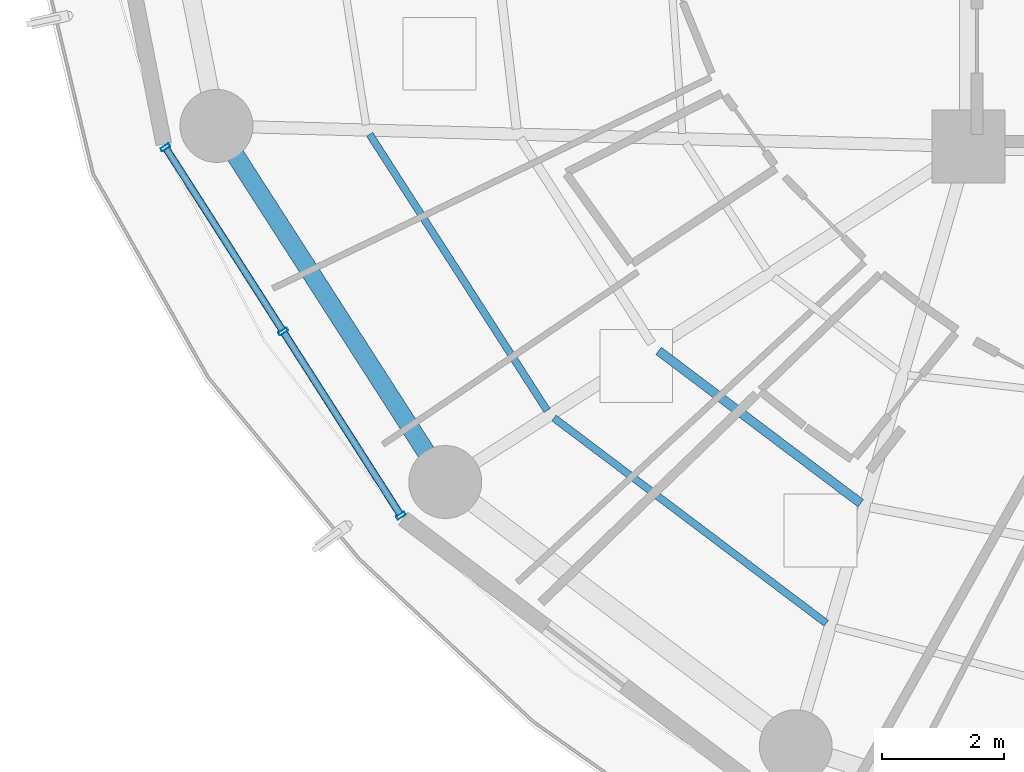
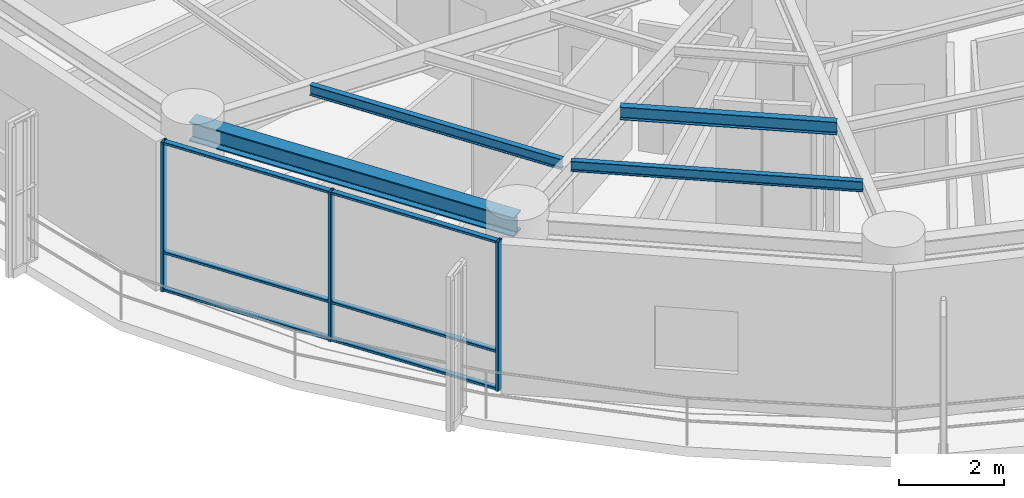
# One storey, part 2 of 28: 9 members, 4 beams, 1 element without a shape of its own.
"""IFC4 building model written with IfcOpenShell, lengths in metres."""

from ifc_helpers import new_model, si_unit, direction, frame, origin, origin_2d, place, context, subcontext, project, spatial, hollow_rectangle, i_section, extrude, material, layer, layer_set, material_profile, profile_set, type_object, element, aggregate, save


model = new_model("IFC4")

# Units and contexts
model_context = context("Model", 3, precision=1e-05, world=origin(), true_north=direction((0.0, 1.0)))
body_context = subcontext(model_context, "Body", "Model", "MODEL_VIEW")
ifc_project = project(units=[si_unit("LENGTHUNIT", "METRE"), si_unit("AREAUNIT", "SQUARE_METRE"), si_unit("VOLUMEUNIT", "CUBIC_METRE"), si_unit("PLANEANGLEUNIT", "RADIAN"), si_unit("MASSUNIT", "GRAM", prefix="KILO")], contexts=[model_context])

# Site, building, storey
site_placement = place(None, origin())
site = spatial("IfcSite", under=ifc_project, at=site_placement, CompositionType="ELEMENT")
building_placement = place(site_placement, origin())
building = spatial("IfcBuilding", under=site, at=building_placement, Name="Kelanora Arch Commons", CompositionType="ELEMENT")
storey_placement = place(building_placement, frame((0.0, 0.0, 158.10009765625)))
storey = spatial("IfcBuildingStorey", under=building, at=storey_placement, Name="L40", CompositionType="ELEMENT", Elevation=158.10009765625)

# Beams
ifc_material_1 = material(Name="Steel S355", Category="steel")
ifc_material_profile_1 = material_profile(ifc_material_1, i_section(OverallWidth=0.14990234375, OverallDepth=0.300048828125, WebThickness=0.007080078125, FlangeThickness=0.0107421875, FilletRadius=0.014892578125, at=origin_2d()), Name="IPE300")
ifc_profile_set_1 = profile_set([ifc_material_profile_1], Name="Steel S355")
beam_type_1 = type_object("IfcBeamType", Name="BM-JST-01", PredefinedType="JOIST", material=ifc_profile_set_1)
beam_1_placement = place(storey_placement, frame((60.9033203125, 47.635986328125, 3.33984375), z_axis=(0.798463547891, -0.602043156833, 0.0), x_axis=(0.602043156833, 0.798463547891, 0.0)))
element("IfcBeam", 1, at=beam_1_placement, inside=storey, type_object=beam_type_1, Name="Secondary Chord Joist BJB-22 L40", PredefinedType="JOIST", context=body_context, shape_type="SweptSolid", body=[
    extrude(i_section(OverallWidth=0.14990234375, OverallDepth=0.300048828125, WebThickness=0.007080078125, FlangeThickness=0.0107421875, FilletRadius=0.014892578125, at=origin_2d()), origin(), (0.0, 0.0, 1.0), 4.163818359375),
])
ifc_material_profile_2 = material_profile(ifc_material_1, i_section(OverallWidth=0.1201171875, OverallDepth=0.239990234375, WebThickness=0.006103515625, FlangeThickness=0.009765625, FilletRadius=0.014892578125, at=origin_2d()), Name="IPE240")
ifc_profile_set_2 = profile_set([ifc_material_profile_2], Name="Steel S355")
beam_type_2 = type_object("IfcBeamType", Name="BM-JST-02", PredefinedType="JOIST", material=ifc_profile_set_2)
beam_2_placement = place(storey_placement, frame((56.14794921875, 51.198486328125, 3.369873046875), z_axis=(0.540581678156, -0.841291536414, 0.0), x_axis=(0.841291536414, 0.540581678156, 0.0)))
element("IfcBeam", 2, at=beam_2_placement, inside=storey, type_object=beam_type_2, Name="Secondary Chord Joist BJC-20 L40", PredefinedType="JOIST", context=body_context, shape_type="SweptSolid", body=[
    extrude(i_section(OverallWidth=0.1201171875, OverallDepth=0.239990234375, WebThickness=0.006103515625, FlangeThickness=0.009765625, FilletRadius=0.014892578125, at=origin_2d()), origin(), (0.0, 0.0, 1.0), 5.4013671875),
])
beam_3_placement = place(storey_placement, frame((59.181640625, 46.531494140625, 3.369873046875), z_axis=(0.798493128577, -0.602003923256, 0.0), x_axis=(0.602003923256, 0.798493128577, 0.0)))
element("IfcBeam", 3, at=beam_3_placement, inside=storey, type_object=beam_type_2, Name="Secondary Chord Joist BJC-22 L40", PredefinedType="JOIST", context=body_context, shape_type="SweptSolid", body=[
    extrude(i_section(OverallWidth=0.1201171875, OverallDepth=0.239990234375, WebThickness=0.006103515625, FlangeThickness=0.009765625, FilletRadius=0.014892578125, at=origin_2d()), origin(), (0.0, 0.0, 1.0), 5.608642578125),
])
ifc_material_profile_3 = material_profile(ifc_material_1, i_section(OverallWidth=0.300048828125, OverallDepth=0.449951171875, WebThickness=0.013916015625, FlangeThickness=0.02587890625, FilletRadius=0.027099609375, at=origin_2d()), Name="HEB450")
ifc_profile_set_3 = profile_set([ifc_material_profile_3], Name="Steel S355")
beam_type_3 = type_object("IfcBeamType", Name="BM-SPN-Z3", PredefinedType="SPANDREL", material=ifc_profile_set_3)
beam_4_placement = place(storey_placement, frame((53.62744140625, 51.33740234375, 3.264892578125), z_axis=(0.540576852469, -0.841294637196, 0.0), x_axis=(0.841294637196, 0.540576852469, 0.0)))
element("IfcBeam", 4, at=beam_4_placement, inside=storey, type_object=beam_type_3, Name="Perimeter Spandrel Beam BS-20 L40", PredefinedType="SPANDREL", context=body_context, shape_type="SweptSolid", body=[
    extrude(i_section(OverallWidth=0.300048828125, OverallDepth=0.449951171875, WebThickness=0.013916015625, FlangeThickness=0.02587890625, FilletRadius=0.027099609375, at=origin_2d()), origin(), (0.0, 0.0, 1.0), 6.964111328125),
])

# Curtain wall, members
ifc_material_2 = material(Name="Terracotta ceramic-fritted low-E glass and aluminium", Category="masonry")
ifc_layer = layer(ifc_material_2, 0.175048828125)
ifc_layer_set = layer_set([ifc_layer], Name="Terracotta ceramic-fritted low-E glass and aluminium")
curtain_wall_type = type_object("IfcCurtainWallType", Name="CW-SYS-02", PredefinedType="NOTDEFINED", material=ifc_layer_set)
curtain_wall_placement = place(storey_placement, origin())
curtain_wall = element("IfcCurtainWall", 5, at=curtain_wall_placement, inside=storey, type_object=curtain_wall_type, Name="Unitised Curtain Wall L40-B10", PredefinedType="NOTDEFINED")
ifc_material_3 = material(Name="Powder-coated aluminium terracotta", Category="masonry")
ifc_material_profile_4 = material_profile(ifc_material_3, hollow_rectangle(XDim=0.159912109375, YDim=0.06005859375, WallThickness=0.0048828125, InnerFilletRadius=0.0048828125, OuterFilletRadius=0.010009765625, at=origin_2d()), Name="CWM160x60")
ifc_profile_set_4 = profile_set([ifc_material_profile_4], Name="Powder-coated aluminium terracotta")
member_type_1 = type_object("IfcMemberType", Name="CWM-STD", PredefinedType="MULLION", material=ifc_profile_set_4)
member_1_placement = place(storey_placement, frame((52.787109375, 50.98486328125, 0.0), z_axis=(0.0, 0.0, 1.0), x_axis=(0.842422846546, 0.538816988983, 0.0)))
member_1 = element("IfcMember", 6, at=member_1_placement, type_object=member_type_1, Name="CW-02 mullion 1", PredefinedType="MULLION", context=body_context, shape_type="SweptSolid", body=[
    extrude(hollow_rectangle(XDim=0.159912109375, YDim=0.06005859375, WallThickness=0.0048828125, InnerFilletRadius=0.0048828125, OuterFilletRadius=0.010009765625, at=origin_2d()), origin(), (0.0, 0.0, 1.0), 3.474853515625),
])
member_2_placement = place(storey_placement, frame((54.72509765625, 47.954833984375, 0.0), z_axis=(0.0, 0.0, 1.0), x_axis=(0.842422846546, 0.538816988983, 0.0)))
member_2 = element("IfcMember", 7, at=member_2_placement, type_object=member_type_1, Name="CW-02 mullion 2", PredefinedType="MULLION", context=body_context, shape_type="SweptSolid", body=[
    extrude(hollow_rectangle(XDim=0.159912109375, YDim=0.06005859375, WallThickness=0.0048828125, InnerFilletRadius=0.0048828125, OuterFilletRadius=0.010009765625, at=origin_2d()), origin(), (0.0, 0.0, 1.0), 3.474853515625),
])
member_3_placement = place(storey_placement, frame((56.6630859375, 44.925048828125, 0.0), z_axis=(0.0, 0.0, 1.0), x_axis=(0.842422846546, 0.538816988983, 0.0)))
member_3 = element("IfcMember", 8, at=member_3_placement, type_object=member_type_1, Name="CW-02 mullion 3", PredefinedType="MULLION", context=body_context, shape_type="SweptSolid", body=[
    extrude(hollow_rectangle(XDim=0.159912109375, YDim=0.06005859375, WallThickness=0.0048828125, InnerFilletRadius=0.0048828125, OuterFilletRadius=0.010009765625, at=origin_2d()), origin(), (0.0, 0.0, 1.0), 3.474853515625),
])
ifc_material_profile_5 = material_profile(ifc_material_3, hollow_rectangle(XDim=0.1201171875, YDim=0.06005859375, WallThickness=0.0048828125, InnerFilletRadius=0.0048828125, OuterFilletRadius=0.010009765625, at=origin_2d()), Name="CWT120x60")
ifc_profile_set_5 = profile_set([ifc_material_profile_5], Name="Powder-coated aluminium terracotta")
member_type_2 = type_object("IfcMemberType", Name="CWT-STD", PredefinedType="USERDEFINED", material=ifc_profile_set_5)
member_4_placement = place(storey_placement, frame((52.80322265625, 50.959716796875, 0.02978515625), z_axis=(0.53883037555, -0.842414284295, 0.0), x_axis=(0.842414284295, 0.53883037555, 0.0)))
member_4 = element("IfcMember", 9, at=member_4_placement, type_object=member_type_2, Name="CW-02 transom 1.1", ObjectType="TRANSOM", PredefinedType="USERDEFINED", context=body_context, shape_type="SweptSolid", body=[
    extrude(hollow_rectangle(XDim=0.1201171875, YDim=0.06005859375, WallThickness=0.0048828125, InnerFilletRadius=0.0048828125, OuterFilletRadius=0.010009765625, at=origin_2d()), origin(), (0.0, 0.0, 1.0), 3.536865234375),
])
member_5_placement = place(storey_placement, frame((52.80322265625, 50.959716796875, 0.89990234375), z_axis=(0.53883037555, -0.842414284295, 0.0), x_axis=(0.842414284295, 0.53883037555, 0.0)))
member_5 = element("IfcMember", 10, at=member_5_placement, type_object=member_type_2, Name="CW-02 transom 1.2", ObjectType="TRANSOM", PredefinedType="USERDEFINED", context=body_context, shape_type="SweptSolid", body=[
    extrude(hollow_rectangle(XDim=0.1201171875, YDim=0.06005859375, WallThickness=0.0048828125, InnerFilletRadius=0.0048828125, OuterFilletRadius=0.010009765625, at=origin_2d()), origin(), (0.0, 0.0, 1.0), 3.536865234375),
])
member_6_placement = place(storey_placement, frame((52.80322265625, 50.959716796875, 3.44482421875), z_axis=(0.53883037555, -0.842414284295, 0.0), x_axis=(0.842414284295, 0.53883037555, 0.0)))
member_6 = element("IfcMember", 11, at=member_6_placement, type_object=member_type_2, Name="CW-02 transom 1.3", ObjectType="TRANSOM", PredefinedType="USERDEFINED", context=body_context, shape_type="SweptSolid", body=[
    extrude(hollow_rectangle(XDim=0.1201171875, YDim=0.06005859375, WallThickness=0.0048828125, InnerFilletRadius=0.0048828125, OuterFilletRadius=0.010009765625, at=origin_2d()), origin(), (0.0, 0.0, 1.0), 3.536865234375),
])
member_7_placement = place(storey_placement, frame((54.7412109375, 47.9296875, 0.02978515625), z_axis=(0.53883037555, -0.842414284295, 0.0), x_axis=(0.842414284295, 0.53883037555, 0.0)))
member_7 = element("IfcMember", 12, at=member_7_placement, type_object=member_type_2, Name="CW-02 transom 2.1", ObjectType="TRANSOM", PredefinedType="USERDEFINED", context=body_context, shape_type="SweptSolid", body=[
    extrude(hollow_rectangle(XDim=0.1201171875, YDim=0.06005859375, WallThickness=0.0048828125, InnerFilletRadius=0.0048828125, OuterFilletRadius=0.010009765625, at=origin_2d()), origin(), (0.0, 0.0, 1.0), 3.536865234375),
])
member_8_placement = place(storey_placement, frame((54.7412109375, 47.9296875, 0.89990234375), z_axis=(0.53883037555, -0.842414284295, 0.0), x_axis=(0.842414284295, 0.53883037555, 0.0)))
member_8 = element("IfcMember", 13, at=member_8_placement, type_object=member_type_2, Name="CW-02 transom 2.2", ObjectType="TRANSOM", PredefinedType="USERDEFINED", context=body_context, shape_type="SweptSolid", body=[
    extrude(hollow_rectangle(XDim=0.1201171875, YDim=0.06005859375, WallThickness=0.0048828125, InnerFilletRadius=0.0048828125, OuterFilletRadius=0.010009765625, at=origin_2d()), origin(), (0.0, 0.0, 1.0), 3.536865234375),
])
member_9_placement = place(storey_placement, frame((54.7412109375, 47.9296875, 3.44482421875), z_axis=(0.53883037555, -0.842414284295, 0.0), x_axis=(0.842414284295, 0.53883037555, 0.0)))
member_9 = element("IfcMember", 14, at=member_9_placement, type_object=member_type_2, Name="CW-02 transom 2.3", ObjectType="TRANSOM", PredefinedType="USERDEFINED", context=body_context, shape_type="SweptSolid", body=[
    extrude(hollow_rectangle(XDim=0.1201171875, YDim=0.06005859375, WallThickness=0.0048828125, InnerFilletRadius=0.0048828125, OuterFilletRadius=0.010009765625, at=origin_2d()), origin(), (0.0, 0.0, 1.0), 3.536865234375),
])
aggregate(curtain_wall, [member_1, member_2, member_3, member_4, member_5, member_6, member_7, member_8, member_9])

save(model, "model.ifc")
